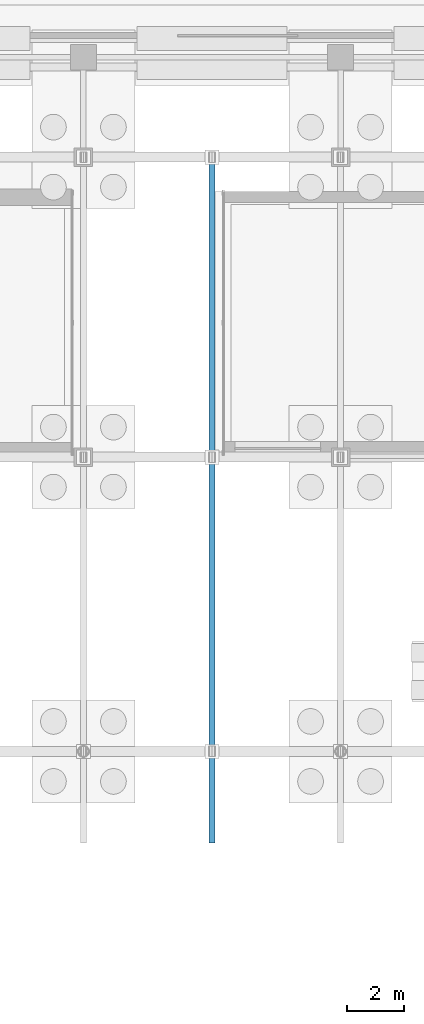
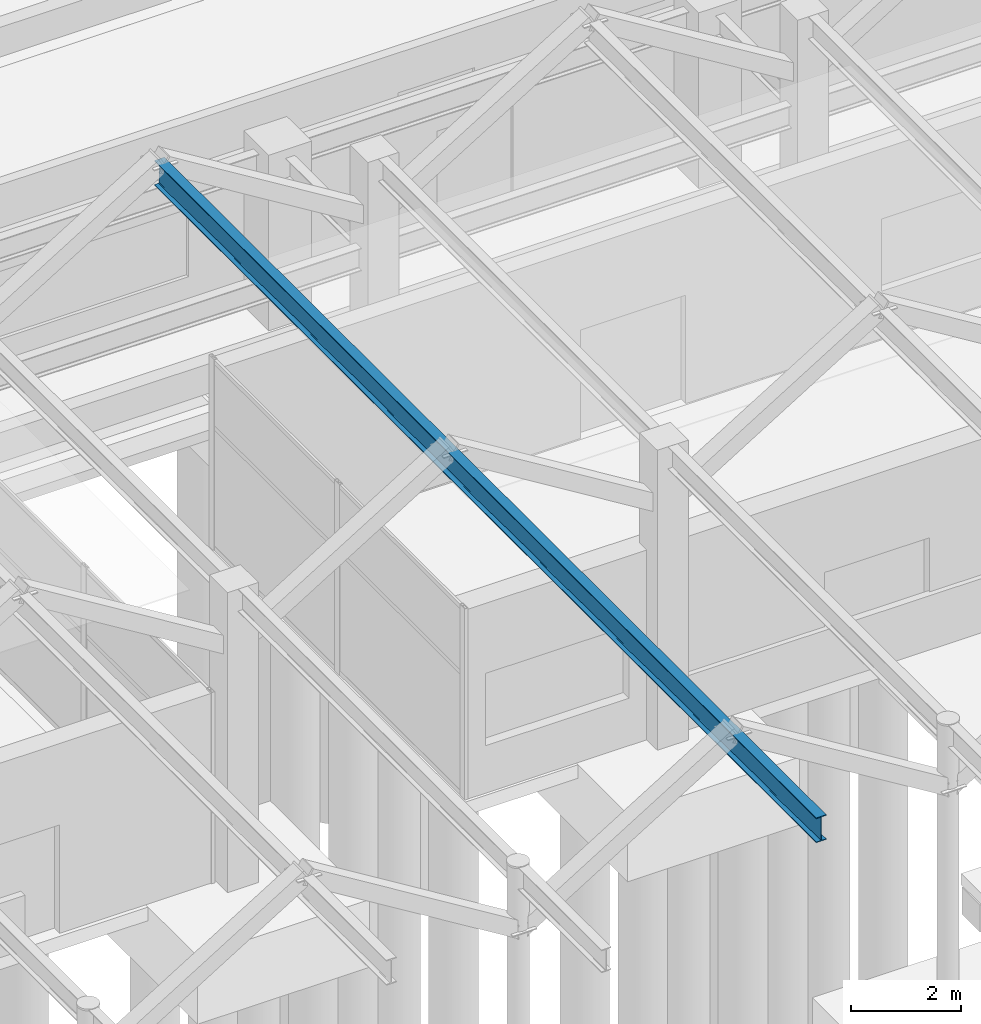
# One storey, part 45 of 160: 1 beam.
"""IFC4 building model written with IfcOpenShell, lengths in metres."""

from ifc_helpers import new_model, si_unit, direction, frame, origin, origin_2d, place, context, subcontext, project, spatial, i_section, extrude, material, material_profile, profile_set, type_object, element, save


model = new_model("IFC4")

# Units and contexts
model_context = context("Model", 3, precision=1e-05, world=origin(), true_north=direction((0.0, 1.0)))
body_context = subcontext(model_context, "Body", "Model", "MODEL_VIEW")
ifc_project = project(units=[si_unit("LENGTHUNIT", "METRE"), si_unit("AREAUNIT", "SQUARE_METRE"), si_unit("VOLUMEUNIT", "CUBIC_METRE"), si_unit("PLANEANGLEUNIT", "RADIAN"), si_unit("MASSUNIT", "GRAM", prefix="KILO")], contexts=[model_context])

# Site, building, storey
site_placement = place(None, origin())
site = spatial("IfcSite", under=ifc_project, at=site_placement, CompositionType="ELEMENT")
building_placement = place(site_placement, origin())
building = spatial("IfcBuilding", under=site, at=building_placement, Name="Marlcrest Central Station", CompositionType="ELEMENT")
storey_placement = place(building_placement, origin())
storey = spatial("IfcBuildingStorey", under=building, at=storey_placement, Name="L00", CompositionType="ELEMENT", Elevation=0.0)

# Beam
ifc_material = material(Name="Steel S355", Category="steel")
ifc_material_profile = material_profile(ifc_material, i_section(OverallWidth=0.2099609375, OverallDepth=0.550048828125, WebThickness=0.010986328125, FlangeThickness=0.01708984375, FilletRadius=0.02392578125, at=origin_2d()), Name="IPE 550")
ifc_profile_set = profile_set([ifc_material_profile], Name="Steel S355")
beam_type = type_object("IfcBeamType", Name="BM-06", PredefinedType="BEAM", material=ifc_profile_set)
beam_placement = place(storey_placement, frame((22.5, 9.0, 7.715087890625), z_axis=(0.0, 1.0, 0.0), x_axis=(-1.0, 0.0, 0.0)))
element("IfcBeam", 1, at=beam_placement, inside=storey, type_object=beam_type, Name="bm-BM-06-L00-01043", PredefinedType="BEAM", context=body_context, shape_type="SweptSolid", body=[
    extrude(i_section(OverallWidth=0.2099609375, OverallDepth=0.550048828125, WebThickness=0.010986328125, FlangeThickness=0.01708984375, FilletRadius=0.02392578125, at=origin_2d()), origin(), (0.0, 0.0, 1.0), 24.0),
])

save(model, "model.ifc")
